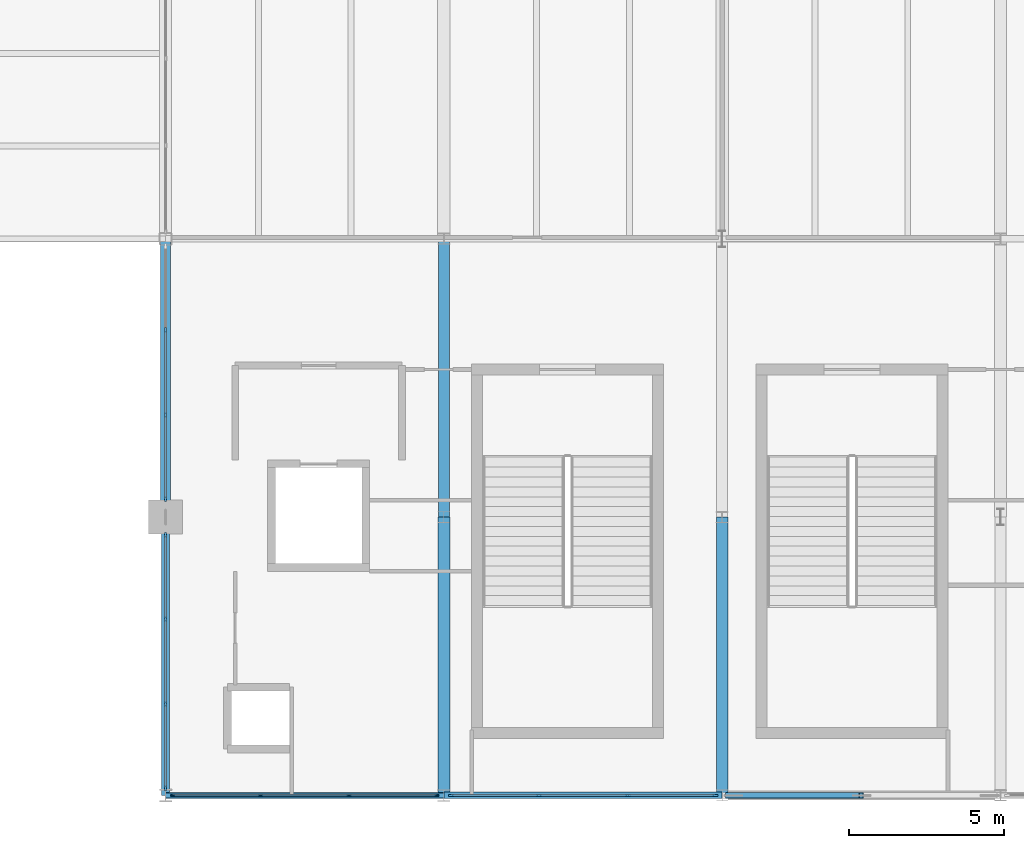
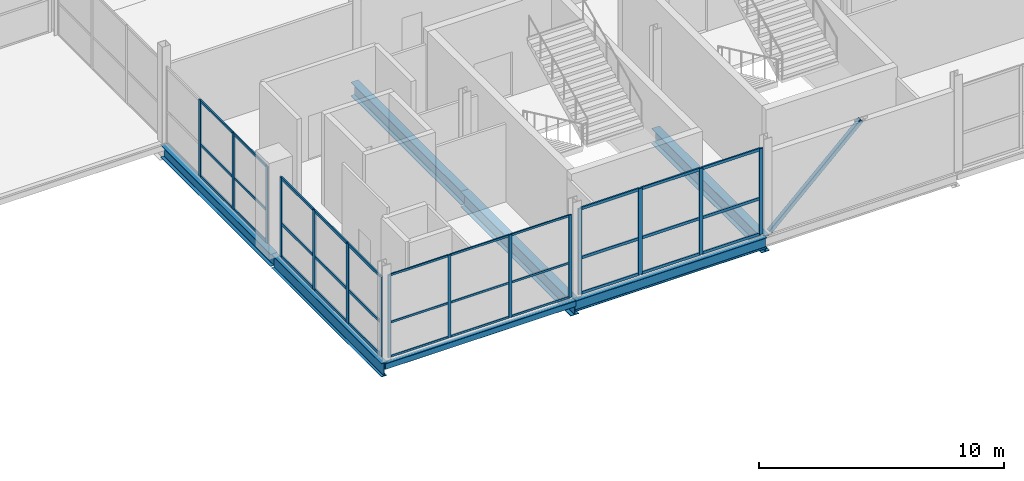
# One storey, part 15 of 69: 49 members, 7 beams, 4 elements without a shape of their own.
"""IFC4 building model written with IfcOpenShell, lengths in metres."""

from ifc_helpers import new_model, si_unit, direction, frame, origin, origin_2d, place, context, subcontext, project, spatial, rectangle, hollow_rectangle, i_section, extrude, material, layer, layer_set, material_profile, profile_set, type_object, element, aggregate, save


model = new_model("IFC4")

# Units and contexts
model_context = context("Model", 3, precision=1e-05, world=origin(), true_north=direction((0.0, 1.0)))
body_context = subcontext(model_context, "Body", "Model", "MODEL_VIEW")
ifc_project = project(units=[si_unit("LENGTHUNIT", "METRE"), si_unit("AREAUNIT", "SQUARE_METRE"), si_unit("VOLUMEUNIT", "CUBIC_METRE"), si_unit("PLANEANGLEUNIT", "RADIAN"), si_unit("MASSUNIT", "GRAM", prefix="KILO")], contexts=[model_context])

# Site, building, storey
site_placement = place(None, origin())
site = spatial("IfcSite", under=ifc_project, at=site_placement, CompositionType="ELEMENT")
building_placement = place(site_placement, origin())
building = spatial("IfcBuilding", under=site, at=building_placement, Name="Qamarlyn Nura Convention Centre", CompositionType="ELEMENT")
storey_placement = place(building_placement, frame((0.0, 0.0, 15.60009765625)))
storey = spatial("IfcBuildingStorey", under=building, at=storey_placement, Name="L03", CompositionType="ELEMENT", Elevation=15.60009765625)

# Beams
ifc_material_1 = material(Name="Steel ASTM A992", Category="steel")
ifc_material_profile_1 = material_profile(ifc_material_1, i_section(OverallWidth=0.323974609375, OverallDepth=0.611083984375, WebThickness=0.0126953125, FlangeThickness=0.01904296875, FilletRadius=0.01611328125, at=origin_2d()), Name="W610X155")
ifc_profile_set_1 = profile_set([ifc_material_profile_1], Name="Steel ASTM A992")
beam_type_1 = type_object("IfcBeamType", Name="BM-GIRD-610", PredefinedType="BEAM", material=ifc_profile_set_1)
beam_1_placement = place(storey_placement, frame((153.0, 9.0, -0.505615234375), z_axis=(0.0, 1.0, 0.0), x_axis=(-1.0, 0.0, 0.0)))
element("IfcBeam", 1, at=beam_1_placement, inside=storey, type_object=beam_type_1, Name="L03 girder 13 B-C", PredefinedType="BEAM", context=body_context, shape_type="SweptSolid", body=[
    extrude(i_section(OverallWidth=0.323974609375, OverallDepth=0.611083984375, WebThickness=0.0126953125, FlangeThickness=0.01904296875, FilletRadius=0.01611328125, at=origin_2d()), origin(), (0.0, 0.0, 1.0), 9.0),
])
ifc_material_profile_2 = material_profile(ifc_material_1, i_section(OverallWidth=0.35498046875, OverallDepth=0.695068359375, WebThickness=0.015380859375, FlangeThickness=0.02490234375, FilletRadius=0.01806640625, at=origin_2d()), Name="W690X217")
ifc_profile_set_2 = profile_set([ifc_material_profile_2], Name="Steel ASTM A992")
beam_type_2 = type_object("IfcBeamType", Name="BM-GIRD-690A", PredefinedType="BEAM", material=ifc_profile_set_2)
beam_2_placement = place(storey_placement, frame((162.0, 9.0, -0.547607421875), z_axis=(0.0, 1.0, 0.0), x_axis=(-1.0, 0.0, 0.0)))
element("IfcBeam", 2, at=beam_2_placement, inside=storey, type_object=beam_type_2, Name="L03 girder 14 B-C", PredefinedType="BEAM", context=body_context, shape_type="SweptSolid", body=[
    extrude(i_section(OverallWidth=0.35498046875, OverallDepth=0.695068359375, WebThickness=0.015380859375, FlangeThickness=0.02490234375, FilletRadius=0.01806640625, at=origin_2d()), origin(), (0.0, 0.0, 1.0), 9.0),
])
ifc_material_profile_3 = material_profile(ifc_material_1, i_section(OverallWidth=0.25390625, OverallDepth=0.68408203125, WebThickness=0.012451171875, FlangeThickness=0.01904296875, FilletRadius=0.01806640625, at=origin_2d()), Name="W690X140")
ifc_profile_set_3 = profile_set([ifc_material_profile_3], Name="Steel ASTM A992")
beam_type_3 = type_object("IfcBeamType", Name="BM-GIRD-690B", PredefinedType="BEAM", material=ifc_profile_set_3)
beam_3_placement = place(storey_placement, frame((153.0, 0.0, -0.5419921875), z_axis=(0.0, 1.0, 0.0), x_axis=(-1.0, 0.0, 0.0)))
element("IfcBeam", 3, at=beam_3_placement, inside=storey, type_object=beam_type_3, Name="L03 girder 13 A-B", PredefinedType="BEAM", context=body_context, shape_type="SweptSolid", body=[
    extrude(i_section(OverallWidth=0.25390625, OverallDepth=0.68408203125, WebThickness=0.012451171875, FlangeThickness=0.01904296875, FilletRadius=0.01806640625, at=origin_2d()), origin(), (0.0, 0.0, 1.0), 9.0),
])
ifc_material_profile_4 = material_profile(ifc_material_1, i_section(OverallWidth=0.381103515625, OverallDepth=0.77294921875, WebThickness=0.0166015625, FlangeThickness=0.027587890625, FilletRadius=0.02001953125, at=origin_2d()), Name="W760X257")
ifc_profile_set_4 = profile_set([ifc_material_profile_4], Name="Steel ASTM A992")
beam_type_4 = type_object("IfcBeamType", Name="BM-GIRD-760", PredefinedType="BEAM", material=ifc_profile_set_4)
for number, where, z_axis, x_axis, name in (
    (4, (162.0, 0.0, -0.586669921875), (0.0, 1.0, 0.0), (-1.0, 0.0, 0.0), "L03 girder 14 A-B"),
    (5, (171.0, 0.0, -0.586669921875), (0.0, 1.0, 0.0), (-1.0, 0.0, 0.0), "L03 girder 15 A-B"),
):
    element("IfcBeam", number, at=place(storey_placement, frame(where, z_axis=z_axis, x_axis=x_axis)), inside=storey, type_object=beam_type_4, Name=name, PredefinedType="BEAM", context=body_context, shape_type="SweptSolid", body=[
        extrude(i_section(OverallWidth=0.381103515625, OverallDepth=0.77294921875, WebThickness=0.0166015625, FlangeThickness=0.027587890625, FilletRadius=0.02001953125, at=origin_2d()), origin(), (0.0, 0.0, 1.0), 9.0),
    ])
ifc_material_profile_5 = material_profile(ifc_material_1, i_section(OverallWidth=0.2109375, OverallDepth=0.5390625, WebThickness=0.01171875, FlangeThickness=0.018798828125, FilletRadius=0.013916015625, at=origin_2d()), Name="W530X109")
ifc_profile_set_5 = profile_set([ifc_material_profile_5], Name="Steel ASTM A992")
beam_type_5 = type_object("IfcBeamType", Name="BM-SPAN-530", PredefinedType="SPANDREL", material=ifc_profile_set_5)
beam_4_placement = place(storey_placement, frame((162.0, 0.0, -0.469482421875), z_axis=(1.0, 0.0, 0.0), x_axis=(0.0, 1.0, 0.0)))
element("IfcBeam", 6, at=beam_4_placement, inside=storey, type_object=beam_type_5, Name="L03 girder A 14-15", PredefinedType="SPANDREL", context=body_context, shape_type="SweptSolid", body=[
    extrude(i_section(OverallWidth=0.2109375, OverallDepth=0.5390625, WebThickness=0.01171875, FlangeThickness=0.018798828125, FilletRadius=0.013916015625, at=origin_2d()), origin(), (0.0, 0.0, 1.0), 9.0),
])
ifc_material_2 = material(Name="Steel ASTM A500 Grade C", Category="steel")
ifc_material_profile_6 = material_profile(ifc_material_2, hollow_rectangle(XDim=0.199951171875, YDim=0.300048828125, WallThickness=0.012451171875, InnerFilletRadius=0.012451171875, OuterFilletRadius=0.02490234375, at=origin_2d()), Name="HSS300X200X12.5")
ifc_profile_set_6 = profile_set([ifc_material_profile_6], Name="Steel ASTM A500 Grade C")
beam_type_6 = type_object("IfcBeamType", Name="BM-SPAN-HSS", PredefinedType="SPANDREL", material=ifc_profile_set_6)
beam_5_placement = place(storey_placement, frame((153.0, 0.0, -0.35009765625), z_axis=(1.0, 0.0, 0.0), x_axis=(0.0, 1.0, 0.0)))
element("IfcBeam", 7, at=beam_5_placement, inside=storey, type_object=beam_type_6, Name="L03 girder A 13-14", PredefinedType="SPANDREL", context=body_context, shape_type="SweptSolid", body=[
    extrude(hollow_rectangle(XDim=0.199951171875, YDim=0.300048828125, WallThickness=0.012451171875, InnerFilletRadius=0.012451171875, OuterFilletRadius=0.02490234375, at=origin_2d()), origin(), (0.0, 0.0, 1.0), 9.0),
])

# Member
ifc_material_profile_7 = material_profile(ifc_material_2, hollow_rectangle(XDim=0.199951171875, YDim=0.199951171875, WallThickness=0.010009765625, InnerFilletRadius=0.010009765625, OuterFilletRadius=0.02001953125, at=origin_2d()), Name="HSS200X200X10")
ifc_profile_set_7 = profile_set([ifc_material_profile_7], Name="Steel ASTM A500 Grade C")
member_type_1 = type_object("IfcMemberType", Name="CBF-BRC-200", PredefinedType="BRACE", material=ifc_profile_set_7)
member_1_placement = place(storey_placement, frame((171.179931640625, 0.0, 0.0), z_axis=(0.728633833675, 0.0, 0.684903450439), x_axis=(0.0, 1.0, 0.0)))
element("IfcMember", 8, at=member_1_placement, inside=storey, type_object=member_type_1, Name="L03 SCBF chevron brace CBF-E1L", PredefinedType="BRACE", context=body_context, shape_type="SweptSolid", body=[
    extrude(hollow_rectangle(XDim=0.199951171875, YDim=0.199951171875, WallThickness=0.010009765625, InnerFilletRadius=0.010009765625, OuterFilletRadius=0.02001953125, at=origin_2d()), origin(), (0.0, 0.0, 1.0), 5.928955078125),
])

# Curtain wall, members
ifc_material_3 = material(Name="Double-silver low-E insulated glass", Category="glass")
ifc_layer_1 = layer(ifc_material_3, 0.179931640625, Name="CW-UNIT-118")
ifc_layer_set_1 = layer_set([ifc_layer_1], Name="Double-silver low-E insulated glass")
curtain_wall_type_1 = type_object("IfcCurtainWallType", Name="CW-UNIT-118", PredefinedType="NOTDEFINED", material=ifc_layer_set_1)
curtain_wall_1_placement = place(storey_placement, origin())
curtain_wall_1 = element("IfcCurtainWall", 9, at=curtain_wall_1_placement, inside=storey, type_object=curtain_wall_type_1, Name="L03 unitised curtain wall STH-1-1", PredefinedType="NOTDEFINED")
ifc_material_4 = material(Name="Champagne-anodised marine aluminium", Category="aluminium")
ifc_material_profile_8 = material_profile(ifc_material_4, rectangle(XDim=0.06005859375, YDim=0.139892578125, at=origin_2d()), Name="ALU MULLION 60x140")
ifc_profile_set_8 = profile_set([ifc_material_profile_8], Name="Champagne-anodised marine aluminium")
member_type_2 = type_object("IfcMemberType", Name="CWM-140", PredefinedType="MULLION", material=ifc_profile_set_8)
member_2_placement = place(storey_placement, frame((161.7705078125, 0.0, 0.0), z_axis=(0.0, 0.0, 1.0), x_axis=(0.0, -1.0, 0.0)))
member_2 = element("IfcMember", 10, at=member_2_placement, type_object=member_type_2, Name="CW118 mullion 1", PredefinedType="MULLION", context=body_context, shape_type="SweptSolid", body=[
    extrude(rectangle(XDim=0.06005859375, YDim=0.139892578125, at=origin_2d()), origin(), (0.0, 0.0, 1.0), 4.118896484375),
])
member_3_placement = place(storey_placement, frame((158.93505859375, 0.0, 0.0), z_axis=(0.0, 0.0, 1.0), x_axis=(0.0, -1.0, 0.0)))
member_3 = element("IfcMember", 11, at=member_3_placement, type_object=member_type_2, Name="CW118 mullion 2", PredefinedType="MULLION", context=body_context, shape_type="SweptSolid", body=[
    extrude(rectangle(XDim=0.06005859375, YDim=0.139892578125, at=origin_2d()), origin(), (0.0, 0.0, 1.0), 4.118896484375),
])
member_4_placement = place(storey_placement, frame((156.06982421875, 0.0, 0.0), z_axis=(0.0, 0.0, 1.0), x_axis=(0.0, -1.0, 0.0)))
member_4 = element("IfcMember", 12, at=member_4_placement, type_object=member_type_2, Name="CW118 mullion 3", PredefinedType="MULLION", context=body_context, shape_type="SweptSolid", body=[
    extrude(rectangle(XDim=0.06005859375, YDim=0.139892578125, at=origin_2d()), origin(), (0.0, 0.0, 1.0), 4.118896484375),
])
member_5_placement = place(storey_placement, frame((153.234619140625, 0.0, 0.0), z_axis=(0.0, 0.0, 1.0), x_axis=(0.0, -1.0, 0.0)))
member_5 = element("IfcMember", 13, at=member_5_placement, type_object=member_type_2, Name="CW118 mullion 4", PredefinedType="MULLION", context=body_context, shape_type="SweptSolid", body=[
    extrude(rectangle(XDim=0.06005859375, YDim=0.139892578125, at=origin_2d()), origin(), (0.0, 0.0, 1.0), 4.118896484375),
])

ifc_layer_2 = layer(ifc_material_3, 0.179931640625, Name="CW-UNIT-122")
ifc_layer_set_2 = layer_set([ifc_layer_2], Name="Double-silver low-E insulated glass")
curtain_wall_type_2 = type_object("IfcCurtainWallType", Name="CW-UNIT-122", PredefinedType="NOTDEFINED", material=ifc_layer_set_2)
curtain_wall_2_placement = place(storey_placement, origin())
curtain_wall_2 = element("IfcCurtainWall", 14, at=curtain_wall_2_placement, inside=storey, type_object=curtain_wall_type_2, Name="L03 unitised curtain wall FCW-9-1", PredefinedType="NOTDEFINED")
ifc_material_profile_9 = material_profile(ifc_material_4, rectangle(XDim=0.06494140625, YDim=0.159912109375, at=origin_2d()), Name="ALU MULLION 65x160")
ifc_profile_set_9 = profile_set([ifc_material_profile_9], Name="Champagne-anodised marine aluminium")
member_type_3 = type_object("IfcMemberType", Name="CWM-160", PredefinedType="MULLION", material=ifc_profile_set_9)
member_6_placement = place(storey_placement, frame((153.0, 9.58251953125, 0.0), z_axis=(0.0, 0.0, 1.0), x_axis=(-1.0, 0.0, 0.0)))
member_6 = element("IfcMember", 15, at=member_6_placement, type_object=member_type_3, Name="CW122 mullion 1", PredefinedType="MULLION", context=body_context, shape_type="SweptSolid", body=[
    extrude(rectangle(XDim=0.06494140625, YDim=0.159912109375, at=origin_2d()), origin(), (0.0, 0.0, 1.0), 3.81201171875),
])
member_7_placement = place(storey_placement, frame((153.0, 12.300048828125, 0.0), z_axis=(0.0, 0.0, 1.0), x_axis=(-1.0, 0.0, 0.0)))
member_7 = element("IfcMember", 16, at=member_7_placement, type_object=member_type_3, Name="CW122 mullion 2", PredefinedType="MULLION", context=body_context, shape_type="SweptSolid", body=[
    extrude(rectangle(XDim=0.06494140625, YDim=0.159912109375, at=origin_2d()), origin(), (0.0, 0.0, 1.0), 3.81201171875),
])
member_8_placement = place(storey_placement, frame((153.0, 15.050048828125, 0.0), z_axis=(0.0, 0.0, 1.0), x_axis=(-1.0, 0.0, 0.0)))
member_8 = element("IfcMember", 17, at=member_8_placement, type_object=member_type_3, Name="CW122 mullion 3", PredefinedType="MULLION", context=body_context, shape_type="SweptSolid", body=[
    extrude(rectangle(XDim=0.06494140625, YDim=0.159912109375, at=origin_2d()), origin(), (0.0, 0.0, 1.0), 3.81201171875),
])

ifc_layer_3 = layer(ifc_material_3, 0.179931640625, Name="CW-UNIT-119")
ifc_layer_set_3 = layer_set([ifc_layer_3], Name="Double-silver low-E insulated glass")
curtain_wall_type_3 = type_object("IfcCurtainWallType", Name="CW-UNIT-119", PredefinedType="NOTDEFINED", material=ifc_layer_set_3)
curtain_wall_3_placement = place(storey_placement, origin())
curtain_wall_3 = element("IfcCurtainWall", 18, at=curtain_wall_3_placement, inside=storey, type_object=curtain_wall_type_3, Name="L03 unitised curtain wall STH-2-1", PredefinedType="NOTDEFINED")
ifc_material_profile_10 = material_profile(ifc_material_4, rectangle(XDim=0.070068359375, YDim=0.179931640625, at=origin_2d()), Name="ALU MULLION 70x180")
ifc_profile_set_10 = profile_set([ifc_material_profile_10], Name="Champagne-anodised marine aluminium")
member_type_4 = type_object("IfcMemberType", Name="CWM-180", PredefinedType="MULLION", material=ifc_profile_set_10)
member_9_placement = place(storey_placement, frame((170.778076171875, 0.0, 0.0), z_axis=(0.0, 0.0, 1.0), x_axis=(0.0, -1.0, 0.0)))
member_9 = element("IfcMember", 19, at=member_9_placement, type_object=member_type_4, Name="CW119 mullion 1", PredefinedType="MULLION", context=body_context, shape_type="SweptSolid", body=[
    extrude(rectangle(XDim=0.070068359375, YDim=0.179931640625, at=origin_2d()), origin(), (0.0, 0.0, 1.0), 4.284912109375),
])
member_10_placement = place(storey_placement, frame((167.94189453125, 0.0, 0.0), z_axis=(0.0, 0.0, 1.0), x_axis=(0.0, -1.0, 0.0)))
member_10 = element("IfcMember", 20, at=member_10_placement, type_object=member_type_4, Name="CW119 mullion 2", PredefinedType="MULLION", context=body_context, shape_type="SweptSolid", body=[
    extrude(rectangle(XDim=0.070068359375, YDim=0.179931640625, at=origin_2d()), origin(), (0.0, 0.0, 1.0), 4.284912109375),
])
member_11_placement = place(storey_placement, frame((165.070556640625, 0.0, 0.0), z_axis=(0.0, 0.0, 1.0), x_axis=(0.0, -1.0, 0.0)))
member_11 = element("IfcMember", 21, at=member_11_placement, type_object=member_type_4, Name="CW119 mullion 3", PredefinedType="MULLION", context=body_context, shape_type="SweptSolid", body=[
    extrude(rectangle(XDim=0.070068359375, YDim=0.179931640625, at=origin_2d()), origin(), (0.0, 0.0, 1.0), 4.284912109375),
])
member_12_placement = place(storey_placement, frame((162.234619140625, 0.0, 0.0), z_axis=(0.0, 0.0, 1.0), x_axis=(0.0, -1.0, 0.0)))
member_12 = element("IfcMember", 22, at=member_12_placement, type_object=member_type_4, Name="CW119 mullion 4", PredefinedType="MULLION", context=body_context, shape_type="SweptSolid", body=[
    extrude(rectangle(XDim=0.070068359375, YDim=0.179931640625, at=origin_2d()), origin(), (0.0, 0.0, 1.0), 4.284912109375),
])

ifc_layer_4 = layer(ifc_material_3, 0.179931640625, Name="CW-UNIT-101")
ifc_layer_set_4 = layer_set([ifc_layer_4], Name="Double-silver low-E insulated glass")
curtain_wall_type_4 = type_object("IfcCurtainWallType", Name="CW-UNIT-101", PredefinedType="NOTDEFINED", material=ifc_layer_set_4)
curtain_wall_4_placement = place(storey_placement, origin())
curtain_wall_4 = element("IfcCurtainWall", 23, at=curtain_wall_4_placement, inside=storey, type_object=curtain_wall_type_4, Name="L03 unitised curtain wall FCW-0-1", PredefinedType="NOTDEFINED")
member_13_placement = place(storey_placement, frame((153.0, 0.24755859375, 0.0), z_axis=(0.0, 0.0, 1.0), x_axis=(-1.0, 0.0, 0.0)))
member_13 = element("IfcMember", 24, at=member_13_placement, type_object=member_type_4, Name="CW101 mullion 1", PredefinedType="MULLION", context=body_context, shape_type="SweptSolid", body=[
    extrude(rectangle(XDim=0.070068359375, YDim=0.179931640625, at=origin_2d()), origin(), (0.0, 0.0, 1.0), 3.973876953125),
])
member_14_placement = place(storey_placement, frame((153.0, 2.958251953125, 0.0), z_axis=(0.0, 0.0, 1.0), x_axis=(-1.0, 0.0, 0.0)))
member_14 = element("IfcMember", 25, at=member_14_placement, type_object=member_type_4, Name="CW101 mullion 2", PredefinedType="MULLION", context=body_context, shape_type="SweptSolid", body=[
    extrude(rectangle(XDim=0.070068359375, YDim=0.179931640625, at=origin_2d()), origin(), (0.0, 0.0, 1.0), 3.973876953125),
])
member_15_placement = place(storey_placement, frame((153.0, 5.7041015625, 0.0), z_axis=(0.0, 0.0, 1.0), x_axis=(-1.0, 0.0, 0.0)))
member_15 = element("IfcMember", 26, at=member_15_placement, type_object=member_type_4, Name="CW101 mullion 3", PredefinedType="MULLION", context=body_context, shape_type="SweptSolid", body=[
    extrude(rectangle(XDim=0.070068359375, YDim=0.179931640625, at=origin_2d()), origin(), (0.0, 0.0, 1.0), 3.973876953125),
])
member_16_placement = place(storey_placement, frame((153.0, 8.4150390625, 0.0), z_axis=(0.0, 0.0, 1.0), x_axis=(-1.0, 0.0, 0.0)))
member_16 = element("IfcMember", 27, at=member_16_placement, type_object=member_type_4, Name="CW101 mullion 4", PredefinedType="MULLION", context=body_context, shape_type="SweptSolid", body=[
    extrude(rectangle(XDim=0.070068359375, YDim=0.179931640625, at=origin_2d()), origin(), (0.0, 0.0, 1.0), 3.973876953125),
])

# Member
ifc_material_profile_11 = material_profile(ifc_material_4, rectangle(XDim=0.06005859375, YDim=0.10009765625, at=origin_2d()), Name="ALU TRANSOM 60x100")
ifc_profile_set_11 = profile_set([ifc_material_profile_11], Name="Champagne-anodised marine aluminium")
member_type_5 = type_object("IfcMemberType", Name="CWT-100", PredefinedType="USERDEFINED", material=ifc_profile_set_11)
member_17_placement = place(storey_placement, frame((161.740478515625, 0.0, 0.02978515625), z_axis=(-1.0, 0.0, 0.0), x_axis=(0.0, -1.0, 0.0)))
member_17 = element("IfcMember", 28, at=member_17_placement, type_object=member_type_5, Name="CW118 transom 1.1", ObjectType="TRANSOM", PredefinedType="USERDEFINED", context=body_context, shape_type="SweptSolid", body=[
    extrude(rectangle(XDim=0.06005859375, YDim=0.10009765625, at=origin_2d()), origin(), (0.0, 0.0, 1.0), 2.775390625),
])

member_18_placement = place(storey_placement, frame((161.740478515625, 0.0, 1.72998046875), z_axis=(-1.0, 0.0, 0.0), x_axis=(0.0, -1.0, 0.0)))
member_18 = element("IfcMember", 29, at=member_18_placement, type_object=member_type_5, Name="CW118 transom 1.2", ObjectType="TRANSOM", PredefinedType="USERDEFINED", context=body_context, shape_type="SweptSolid", body=[
    extrude(rectangle(XDim=0.06005859375, YDim=0.10009765625, at=origin_2d()), origin(), (0.0, 0.0, 1.0), 2.775390625),
])

member_19_placement = place(storey_placement, frame((161.740478515625, 0.0, 4.0888671875), z_axis=(-1.0, 0.0, 0.0), x_axis=(0.0, -1.0, 0.0)))
member_19 = element("IfcMember", 30, at=member_19_placement, type_object=member_type_5, Name="CW118 transom 1.3", ObjectType="TRANSOM", PredefinedType="USERDEFINED", context=body_context, shape_type="SweptSolid", body=[
    extrude(rectangle(XDim=0.06005859375, YDim=0.10009765625, at=origin_2d()), origin(), (0.0, 0.0, 1.0), 2.775390625),
])

member_20_placement = place(storey_placement, frame((158.9052734375, 0.0, 0.02978515625), z_axis=(-1.0, 0.0, 0.0), x_axis=(0.0, -1.0, 0.0)))
member_20 = element("IfcMember", 31, at=member_20_placement, type_object=member_type_5, Name="CW118 transom 2.1", ObjectType="TRANSOM", PredefinedType="USERDEFINED", context=body_context, shape_type="SweptSolid", body=[
    extrude(rectangle(XDim=0.06005859375, YDim=0.10009765625, at=origin_2d()), origin(), (0.0, 0.0, 1.0), 2.805419921875),
])

member_21_placement = place(storey_placement, frame((158.9052734375, 0.0, 1.72998046875), z_axis=(-1.0, 0.0, 0.0), x_axis=(0.0, -1.0, 0.0)))
member_21 = element("IfcMember", 32, at=member_21_placement, type_object=member_type_5, Name="CW118 transom 2.2", ObjectType="TRANSOM", PredefinedType="USERDEFINED", context=body_context, shape_type="SweptSolid", body=[
    extrude(rectangle(XDim=0.06005859375, YDim=0.10009765625, at=origin_2d()), origin(), (0.0, 0.0, 1.0), 2.805419921875),
])

member_22_placement = place(storey_placement, frame((158.9052734375, 0.0, 4.0888671875), z_axis=(-1.0, 0.0, 0.0), x_axis=(0.0, -1.0, 0.0)))
member_22 = element("IfcMember", 33, at=member_22_placement, type_object=member_type_5, Name="CW118 transom 2.3", ObjectType="TRANSOM", PredefinedType="USERDEFINED", context=body_context, shape_type="SweptSolid", body=[
    extrude(rectangle(XDim=0.06005859375, YDim=0.10009765625, at=origin_2d()), origin(), (0.0, 0.0, 1.0), 2.805419921875),
])

member_23_placement = place(storey_placement, frame((156.039794921875, 0.0, 0.02978515625), z_axis=(-1.0, 0.0, 0.0), x_axis=(0.0, -1.0, 0.0)))
member_23 = element("IfcMember", 34, at=member_23_placement, type_object=member_type_5, Name="CW118 transom 3.1", ObjectType="TRANSOM", PredefinedType="USERDEFINED", context=body_context, shape_type="SweptSolid", body=[
    extrude(rectangle(XDim=0.06005859375, YDim=0.10009765625, at=origin_2d()), origin(), (0.0, 0.0, 1.0), 2.775390625),
])

member_24_placement = place(storey_placement, frame((156.039794921875, 0.0, 1.72998046875), z_axis=(-1.0, 0.0, 0.0), x_axis=(0.0, -1.0, 0.0)))
member_24 = element("IfcMember", 35, at=member_24_placement, type_object=member_type_5, Name="CW118 transom 3.2", ObjectType="TRANSOM", PredefinedType="USERDEFINED", context=body_context, shape_type="SweptSolid", body=[
    extrude(rectangle(XDim=0.06005859375, YDim=0.10009765625, at=origin_2d()), origin(), (0.0, 0.0, 1.0), 2.775390625),
])

member_25_placement = place(storey_placement, frame((156.039794921875, 0.0, 4.0888671875), z_axis=(-1.0, 0.0, 0.0), x_axis=(0.0, -1.0, 0.0)))
member_25 = element("IfcMember", 36, at=member_25_placement, type_object=member_type_5, Name="CW118 transom 3.3", ObjectType="TRANSOM", PredefinedType="USERDEFINED", context=body_context, shape_type="SweptSolid", body=[
    extrude(rectangle(XDim=0.06005859375, YDim=0.10009765625, at=origin_2d()), origin(), (0.0, 0.0, 1.0), 2.775390625),
])

aggregate(curtain_wall_1, [member_2, member_3, member_4, member_5, member_17, member_18, member_19, member_20, member_21, member_22, member_23, member_24, member_25])

ifc_material_profile_12 = material_profile(ifc_material_4, rectangle(XDim=0.06494140625, YDim=0.1201171875, at=origin_2d()), Name="ALU TRANSOM 65x120")
ifc_profile_set_12 = profile_set([ifc_material_profile_12], Name="Champagne-anodised marine aluminium")
member_type_6 = type_object("IfcMemberType", Name="CWT-120", PredefinedType="USERDEFINED", material=ifc_profile_set_12)
member_26_placement = place(storey_placement, frame((153.0, 9.614990234375, 0.032470703125), z_axis=(0.0, 1.0, 0.0), x_axis=(-1.0, 0.0, 0.0)))
member_26 = element("IfcMember", 37, at=member_26_placement, type_object=member_type_6, Name="CW122 transom 1.1", ObjectType="TRANSOM", PredefinedType="USERDEFINED", context=body_context, shape_type="SweptSolid", body=[
    extrude(rectangle(XDim=0.06494140625, YDim=0.1201171875, at=origin_2d()), origin(), (0.0, 0.0, 1.0), 2.652587890625),
])

member_27_placement = place(storey_placement, frame((153.0, 9.614990234375, 1.600830078125), z_axis=(0.0, 1.0, 0.0), x_axis=(-1.0, 0.0, 0.0)))
member_27 = element("IfcMember", 38, at=member_27_placement, type_object=member_type_6, Name="CW122 transom 1.2", ObjectType="TRANSOM", PredefinedType="USERDEFINED", context=body_context, shape_type="SweptSolid", body=[
    extrude(rectangle(XDim=0.06494140625, YDim=0.1201171875, at=origin_2d()), origin(), (0.0, 0.0, 1.0), 2.652587890625),
])

member_28_placement = place(storey_placement, frame((153.0, 9.614990234375, 3.779296875), z_axis=(0.0, 1.0, 0.0), x_axis=(-1.0, 0.0, 0.0)))
member_28 = element("IfcMember", 39, at=member_28_placement, type_object=member_type_6, Name="CW122 transom 1.3", ObjectType="TRANSOM", PredefinedType="USERDEFINED", context=body_context, shape_type="SweptSolid", body=[
    extrude(rectangle(XDim=0.06494140625, YDim=0.1201171875, at=origin_2d()), origin(), (0.0, 0.0, 1.0), 2.652587890625),
])

member_29_placement = place(storey_placement, frame((153.0, 12.33251953125, 0.032470703125), z_axis=(0.0, 1.0, 0.0), x_axis=(-1.0, 0.0, 0.0)))
member_29 = element("IfcMember", 40, at=member_29_placement, type_object=member_type_6, Name="CW122 transom 2.1", ObjectType="TRANSOM", PredefinedType="USERDEFINED", context=body_context, shape_type="SweptSolid", body=[
    extrude(rectangle(XDim=0.06494140625, YDim=0.1201171875, at=origin_2d()), origin(), (0.0, 0.0, 1.0), 2.68505859375),
])

member_30_placement = place(storey_placement, frame((153.0, 12.33251953125, 1.600830078125), z_axis=(0.0, 1.0, 0.0), x_axis=(-1.0, 0.0, 0.0)))
member_30 = element("IfcMember", 41, at=member_30_placement, type_object=member_type_6, Name="CW122 transom 2.2", ObjectType="TRANSOM", PredefinedType="USERDEFINED", context=body_context, shape_type="SweptSolid", body=[
    extrude(rectangle(XDim=0.06494140625, YDim=0.1201171875, at=origin_2d()), origin(), (0.0, 0.0, 1.0), 2.68505859375),
])

member_31_placement = place(storey_placement, frame((153.0, 12.33251953125, 3.779296875), z_axis=(0.0, 1.0, 0.0), x_axis=(-1.0, 0.0, 0.0)))
member_31 = element("IfcMember", 42, at=member_31_placement, type_object=member_type_6, Name="CW122 transom 2.3", ObjectType="TRANSOM", PredefinedType="USERDEFINED", context=body_context, shape_type="SweptSolid", body=[
    extrude(rectangle(XDim=0.06494140625, YDim=0.1201171875, at=origin_2d()), origin(), (0.0, 0.0, 1.0), 2.68505859375),
])

aggregate(curtain_wall_2, [member_6, member_7, member_8, member_26, member_27, member_28, member_29, member_30, member_31])

ifc_material_profile_13 = material_profile(ifc_material_4, rectangle(XDim=0.070068359375, YDim=0.139892578125, at=origin_2d()), Name="ALU TRANSOM 70x140")
ifc_profile_set_13 = profile_set([ifc_material_profile_13], Name="Champagne-anodised marine aluminium")
member_type_7 = type_object("IfcMemberType", Name="CWT-140", PredefinedType="USERDEFINED", material=ifc_profile_set_13)
member_32_placement = place(storey_placement, frame((170.742919921875, 0.0, 0.034912109375), z_axis=(-1.0, 0.0, 0.0), x_axis=(0.0, -1.0, 0.0)))
member_32 = element("IfcMember", 43, at=member_32_placement, type_object=member_type_7, Name="CW119 transom 1.1", ObjectType="TRANSOM", PredefinedType="USERDEFINED", context=body_context, shape_type="SweptSolid", body=[
    extrude(rectangle(XDim=0.070068359375, YDim=0.139892578125, at=origin_2d()), origin(), (0.0, 0.0, 1.0), 2.76611328125),
])

member_33_placement = place(storey_placement, frame((170.742919921875, 0.0, 1.7998046875), z_axis=(-1.0, 0.0, 0.0), x_axis=(0.0, -1.0, 0.0)))
member_33 = element("IfcMember", 44, at=member_33_placement, type_object=member_type_7, Name="CW119 transom 1.2", ObjectType="TRANSOM", PredefinedType="USERDEFINED", context=body_context, shape_type="SweptSolid", body=[
    extrude(rectangle(XDim=0.070068359375, YDim=0.139892578125, at=origin_2d()), origin(), (0.0, 0.0, 1.0), 2.76611328125),
])

member_34_placement = place(storey_placement, frame((170.742919921875, 0.0, 4.25), z_axis=(-1.0, 0.0, 0.0), x_axis=(0.0, -1.0, 0.0)))
member_34 = element("IfcMember", 45, at=member_34_placement, type_object=member_type_7, Name="CW119 transom 1.3", ObjectType="TRANSOM", PredefinedType="USERDEFINED", context=body_context, shape_type="SweptSolid", body=[
    extrude(rectangle(XDim=0.070068359375, YDim=0.139892578125, at=origin_2d()), origin(), (0.0, 0.0, 1.0), 2.76611328125),
])

member_35_placement = place(storey_placement, frame((167.90673828125, 0.0, 0.034912109375), z_axis=(-1.0, 0.0, 0.0), x_axis=(0.0, -1.0, 0.0)))
member_35 = element("IfcMember", 46, at=member_35_placement, type_object=member_type_7, Name="CW119 transom 2.1", ObjectType="TRANSOM", PredefinedType="USERDEFINED", context=body_context, shape_type="SweptSolid", body=[
    extrude(rectangle(XDim=0.070068359375, YDim=0.139892578125, at=origin_2d()), origin(), (0.0, 0.0, 1.0), 2.801025390625),
])

member_36_placement = place(storey_placement, frame((167.90673828125, 0.0, 1.7998046875), z_axis=(-1.0, 0.0, 0.0), x_axis=(0.0, -1.0, 0.0)))
member_36 = element("IfcMember", 47, at=member_36_placement, type_object=member_type_7, Name="CW119 transom 2.2", ObjectType="TRANSOM", PredefinedType="USERDEFINED", context=body_context, shape_type="SweptSolid", body=[
    extrude(rectangle(XDim=0.070068359375, YDim=0.139892578125, at=origin_2d()), origin(), (0.0, 0.0, 1.0), 2.801025390625),
])

member_37_placement = place(storey_placement, frame((167.90673828125, 0.0, 4.25), z_axis=(-1.0, 0.0, 0.0), x_axis=(0.0, -1.0, 0.0)))
member_37 = element("IfcMember", 48, at=member_37_placement, type_object=member_type_7, Name="CW119 transom 2.3", ObjectType="TRANSOM", PredefinedType="USERDEFINED", context=body_context, shape_type="SweptSolid", body=[
    extrude(rectangle(XDim=0.070068359375, YDim=0.139892578125, at=origin_2d()), origin(), (0.0, 0.0, 1.0), 2.801025390625),
])

member_38_placement = place(storey_placement, frame((165.03564453125, 0.0, 0.034912109375), z_axis=(-1.0, 0.0, 0.0), x_axis=(0.0, -1.0, 0.0)))
member_38 = element("IfcMember", 49, at=member_38_placement, type_object=member_type_7, Name="CW119 transom 3.1", ObjectType="TRANSOM", PredefinedType="USERDEFINED", context=body_context, shape_type="SweptSolid", body=[
    extrude(rectangle(XDim=0.070068359375, YDim=0.139892578125, at=origin_2d()), origin(), (0.0, 0.0, 1.0), 2.76611328125),
])

member_39_placement = place(storey_placement, frame((165.03564453125, 0.0, 1.7998046875), z_axis=(-1.0, 0.0, 0.0), x_axis=(0.0, -1.0, 0.0)))
member_39 = element("IfcMember", 50, at=member_39_placement, type_object=member_type_7, Name="CW119 transom 3.2", ObjectType="TRANSOM", PredefinedType="USERDEFINED", context=body_context, shape_type="SweptSolid", body=[
    extrude(rectangle(XDim=0.070068359375, YDim=0.139892578125, at=origin_2d()), origin(), (0.0, 0.0, 1.0), 2.76611328125),
])

member_40_placement = place(storey_placement, frame((165.03564453125, 0.0, 4.25), z_axis=(-1.0, 0.0, 0.0), x_axis=(0.0, -1.0, 0.0)))
member_40 = element("IfcMember", 51, at=member_40_placement, type_object=member_type_7, Name="CW119 transom 3.3", ObjectType="TRANSOM", PredefinedType="USERDEFINED", context=body_context, shape_type="SweptSolid", body=[
    extrude(rectangle(XDim=0.070068359375, YDim=0.139892578125, at=origin_2d()), origin(), (0.0, 0.0, 1.0), 2.76611328125),
])

aggregate(curtain_wall_3, [member_9, member_10, member_11, member_12, member_32, member_33, member_34, member_35, member_36, member_37, member_38, member_39, member_40])

member_41_placement = place(storey_placement, frame((153.0, 0.282470703125, 0.034912109375), z_axis=(0.0, 1.0, 0.0), x_axis=(-1.0, 0.0, 0.0)))
member_41 = element("IfcMember", 52, at=member_41_placement, type_object=member_type_7, Name="CW101 transom 1.1", ObjectType="TRANSOM", PredefinedType="USERDEFINED", context=body_context, shape_type="SweptSolid", body=[
    extrude(rectangle(XDim=0.070068359375, YDim=0.139892578125, at=origin_2d()), origin(), (0.0, 0.0, 1.0), 2.640869140625),
])

member_42_placement = place(storey_placement, frame((153.0, 0.282470703125, 1.6689453125), z_axis=(0.0, 1.0, 0.0), x_axis=(-1.0, 0.0, 0.0)))
member_42 = element("IfcMember", 53, at=member_42_placement, type_object=member_type_7, Name="CW101 transom 1.2", ObjectType="TRANSOM", PredefinedType="USERDEFINED", context=body_context, shape_type="SweptSolid", body=[
    extrude(rectangle(XDim=0.070068359375, YDim=0.139892578125, at=origin_2d()), origin(), (0.0, 0.0, 1.0), 2.640869140625),
])

member_43_placement = place(storey_placement, frame((153.0, 0.282470703125, 3.93896484375), z_axis=(0.0, 1.0, 0.0), x_axis=(-1.0, 0.0, 0.0)))
member_43 = element("IfcMember", 54, at=member_43_placement, type_object=member_type_7, Name="CW101 transom 1.3", ObjectType="TRANSOM", PredefinedType="USERDEFINED", context=body_context, shape_type="SweptSolid", body=[
    extrude(rectangle(XDim=0.070068359375, YDim=0.139892578125, at=origin_2d()), origin(), (0.0, 0.0, 1.0), 2.640869140625),
])

member_44_placement = place(storey_placement, frame((153.0, 2.993408203125, 0.034912109375), z_axis=(0.0, 1.0, 0.0), x_axis=(-1.0, 0.0, 0.0)))
member_44 = element("IfcMember", 55, at=member_44_placement, type_object=member_type_7, Name="CW101 transom 2.1", ObjectType="TRANSOM", PredefinedType="USERDEFINED", context=body_context, shape_type="SweptSolid", body=[
    extrude(rectangle(XDim=0.070068359375, YDim=0.139892578125, at=origin_2d()), origin(), (0.0, 0.0, 1.0), 2.67578125),
])

member_45_placement = place(storey_placement, frame((153.0, 2.993408203125, 1.6689453125), z_axis=(0.0, 1.0, 0.0), x_axis=(-1.0, 0.0, 0.0)))
member_45 = element("IfcMember", 56, at=member_45_placement, type_object=member_type_7, Name="CW101 transom 2.2", ObjectType="TRANSOM", PredefinedType="USERDEFINED", context=body_context, shape_type="SweptSolid", body=[
    extrude(rectangle(XDim=0.070068359375, YDim=0.139892578125, at=origin_2d()), origin(), (0.0, 0.0, 1.0), 2.67578125),
])

member_46_placement = place(storey_placement, frame((153.0, 2.993408203125, 3.93896484375), z_axis=(0.0, 1.0, 0.0), x_axis=(-1.0, 0.0, 0.0)))
member_46 = element("IfcMember", 57, at=member_46_placement, type_object=member_type_7, Name="CW101 transom 2.3", ObjectType="TRANSOM", PredefinedType="USERDEFINED", context=body_context, shape_type="SweptSolid", body=[
    extrude(rectangle(XDim=0.070068359375, YDim=0.139892578125, at=origin_2d()), origin(), (0.0, 0.0, 1.0), 2.67578125),
])

member_47_placement = place(storey_placement, frame((153.0, 5.7392578125, 0.034912109375), z_axis=(0.0, 1.0, 0.0), x_axis=(-1.0, 0.0, 0.0)))
member_47 = element("IfcMember", 58, at=member_47_placement, type_object=member_type_7, Name="CW101 transom 3.1", ObjectType="TRANSOM", PredefinedType="USERDEFINED", context=body_context, shape_type="SweptSolid", body=[
    extrude(rectangle(XDim=0.070068359375, YDim=0.139892578125, at=origin_2d()), origin(), (0.0, 0.0, 1.0), 2.640625),
])

member_48_placement = place(storey_placement, frame((153.0, 5.7392578125, 1.6689453125), z_axis=(0.0, 1.0, 0.0), x_axis=(-1.0, 0.0, 0.0)))
member_48 = element("IfcMember", 59, at=member_48_placement, type_object=member_type_7, Name="CW101 transom 3.2", ObjectType="TRANSOM", PredefinedType="USERDEFINED", context=body_context, shape_type="SweptSolid", body=[
    extrude(rectangle(XDim=0.070068359375, YDim=0.139892578125, at=origin_2d()), origin(), (0.0, 0.0, 1.0), 2.640625),
])

member_49_placement = place(storey_placement, frame((153.0, 5.7392578125, 3.93896484375), z_axis=(0.0, 1.0, 0.0), x_axis=(-1.0, 0.0, 0.0)))
member_49 = element("IfcMember", 60, at=member_49_placement, type_object=member_type_7, Name="CW101 transom 3.3", ObjectType="TRANSOM", PredefinedType="USERDEFINED", context=body_context, shape_type="SweptSolid", body=[
    extrude(rectangle(XDim=0.070068359375, YDim=0.139892578125, at=origin_2d()), origin(), (0.0, 0.0, 1.0), 2.640625),
])

aggregate(curtain_wall_4, [member_13, member_14, member_15, member_16, member_41, member_42, member_43, member_44, member_45, member_46, member_47, member_48, member_49])

save(model, "model.ifc")
